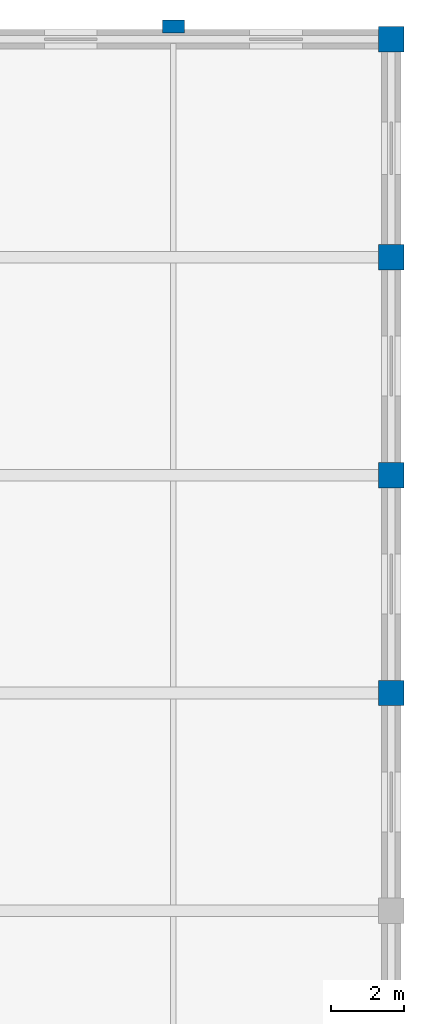
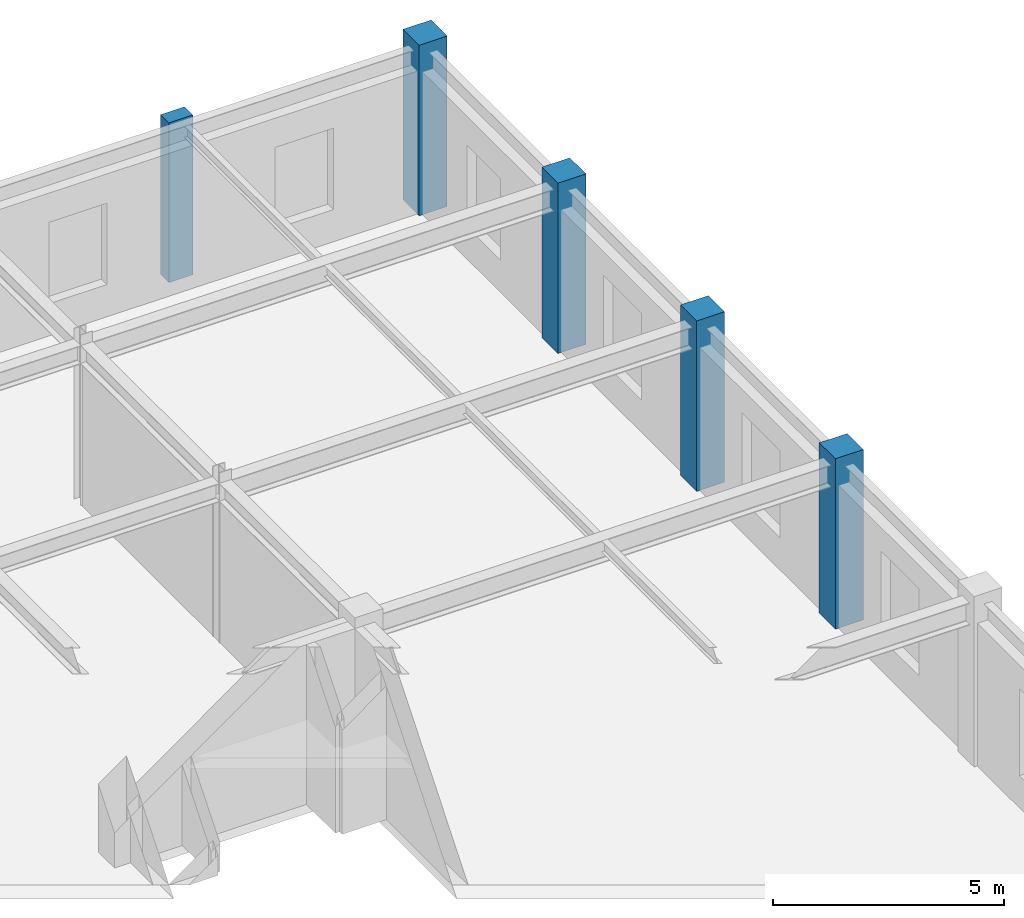
# One storey, part 24 of 108: 5 columns.
"""IFC4 building model written with IfcOpenShell, lengths in metres."""

from ifc_helpers import new_model, si_unit, direction, frame, origin, origin_2d, place, context, subcontext, project, spatial, rectangle, extrude, material, material_profile, profile_set, type_object, element, save


model = new_model("IFC4")

# Units and contexts
model_context = context("Model", 3, precision=1e-05, world=origin(), true_north=direction((0.0, 1.0)))
body_context = subcontext(model_context, "Body", "Model", "MODEL_VIEW")
ifc_project = project(units=[si_unit("LENGTHUNIT", "METRE"), si_unit("AREAUNIT", "SQUARE_METRE"), si_unit("VOLUMEUNIT", "CUBIC_METRE"), si_unit("PLANEANGLEUNIT", "RADIAN"), si_unit("MASSUNIT", "GRAM", prefix="KILO")], contexts=[model_context])

# Site, building, storey
site_placement = place(None, origin())
site = spatial("IfcSite", under=ifc_project, at=site_placement, CompositionType="ELEMENT")
building_placement = place(site_placement, origin())
building = spatial("IfcBuilding", under=site, at=building_placement, Name="Zlatovratsky Civic Hall", CompositionType="ELEMENT")
storey_placement = place(building_placement, frame((0.0, 0.0, 12.0)))
storey = spatial("IfcBuildingStorey", under=building, at=storey_placement, Name="L03", CompositionType="ELEMENT", Elevation=12.0)

# Columns
ifc_material = material(Name="Concrete C35/45 (B40)", Category="concrete")
ifc_material_profile_1 = material_profile(ifc_material, rectangle(XDim=0.699951171875, YDim=0.699951171875, at=origin_2d()), Name="RC 700x700")
ifc_profile_set_1 = profile_set([ifc_material_profile_1], Name="Concrete C35/45 (B40)")
column_type_1 = type_object("IfcColumnType", Name="Col_CorePier_RC700", PredefinedType="COLUMN", material=ifc_profile_set_1)
for number, where, z_axis, x_axis, name in (
    (1, (168.0, 96.0, 0.0), (0.0, 0.0, 1.0), (1.0, 0.0, 0.0), "CL-1481"),
    (2, (168.0, 102.0, 0.0), (0.0, 0.0, 1.0), (1.0, 0.0, 0.0), "CL-1504"),
    (3, (168.0, 108.0, 0.0), (0.0, 0.0, 1.0), (1.0, 0.0, 0.0), "CL-1527"),
    (4, (168.0, 114.0, 0.0), (0.0, 0.0, 1.0), (1.0, 0.0, 0.0), "CL-1550"),
):
    element("IfcColumn", number, at=place(storey_placement, frame(where, z_axis=z_axis, x_axis=x_axis)), inside=storey, type_object=column_type_1, Name=name, PredefinedType="COLUMN", context=body_context, shape_type="SweptSolid", body=[
        extrude(rectangle(XDim=0.699951171875, YDim=0.699951171875, at=origin_2d()), origin(), (0.0, 0.0, 1.0), 4.5),
    ])
ifc_material_profile_2 = material_profile(ifc_material, rectangle(XDim=0.60009765625, YDim=0.360107421875, at=origin_2d()), Name="RC 600x360")
ifc_profile_set_2 = profile_set([ifc_material_profile_2], Name="Concrete C35/45 (B40)")
column_type_2 = type_object("IfcColumnType", Name="Pilaster_Classical_RC600x360", PredefinedType="PILASTER", material=ifc_profile_set_2)
column_placement = place(storey_placement, frame((162.0, 114.35009765625, 0.0), z_axis=(0.0, 0.0, 1.0), x_axis=(1.0, 0.0, 0.0)))
element("IfcColumn", 5, at=column_placement, inside=storey, type_object=column_type_2, Name="CL-2746", PredefinedType="PILASTER", context=body_context, shape_type="SweptSolid", body=[
    extrude(rectangle(XDim=0.60009765625, YDim=0.360107421875, at=origin_2d()), origin(), (0.0, 0.0, 1.0), 4.219970703125),
])

save(model, "model.ifc")
